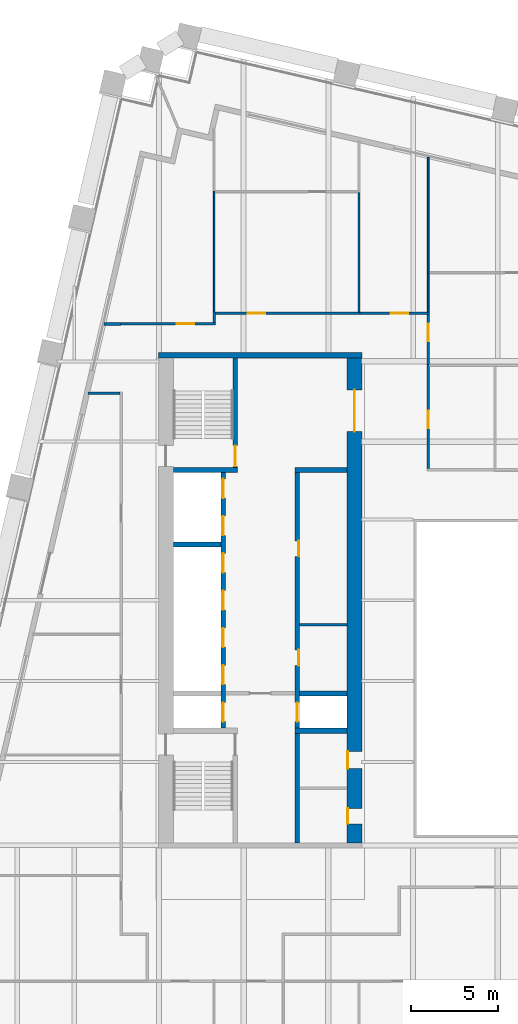
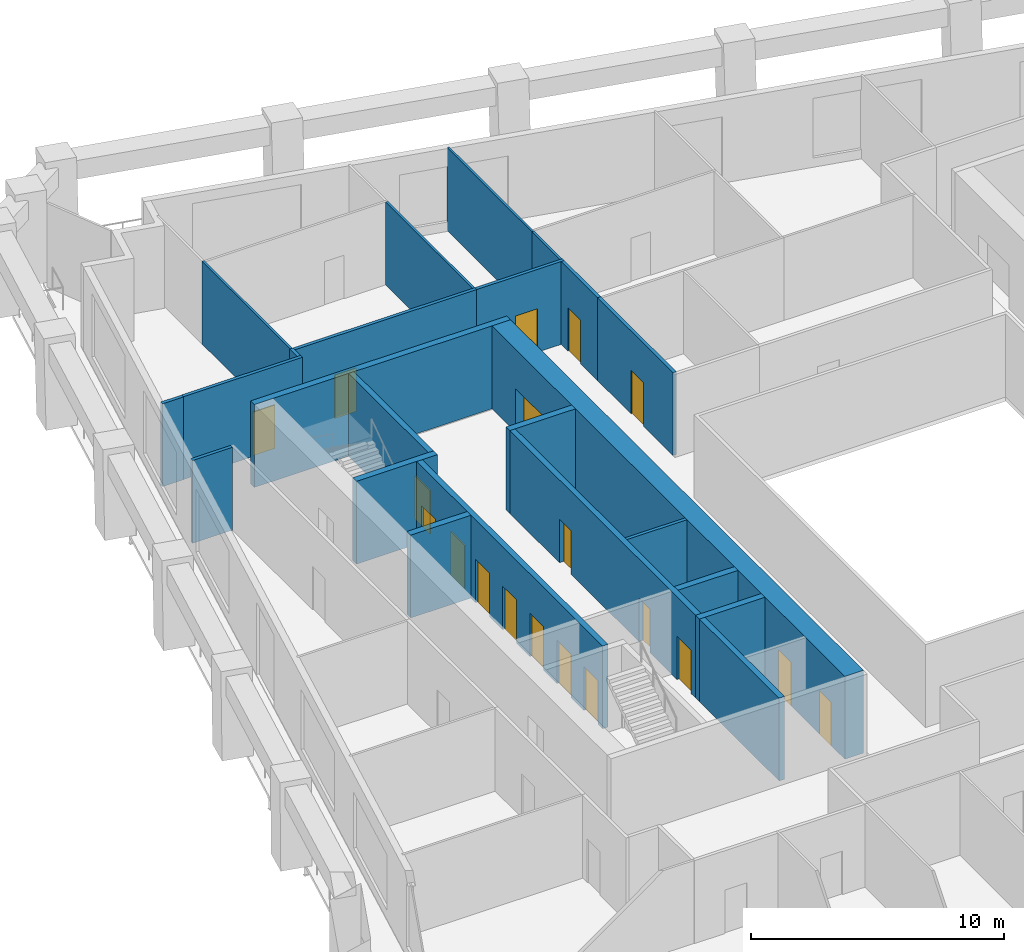
# One storey, part 6 of 11: 23 walls, 19 doors, 19 openings.
"""IFC4 building model written with IfcOpenShell, lengths in metres."""

import ifcopenshell
import ifcopenshell.guid

model = None  # the IFC model being written
_history = None  # IfcOwnerHistory: only IFC2X3 demands one
_inside = {}  # id of a spatial element -> (the spatial element, [elements in it])
_under = {}  # id of a project, library or spatial element -> (it, [spatial elements below it])
_declared = {}  # id of a project -> (the project, [libraries it declares])
_typed = {}  # id of a type object -> (the type object, [elements of that type])
_made_of = {}  # id of a material, layer set ... -> (it, [elements and type objects made of it])


def new_model(schema):
    """Start an empty IFC model of exactly this schema.

    Asked for "IFC4X3", IfcOpenShell would pick the latest addendum, in which some entities
    have other attributes; the version numbers below select the first issue.
    IFC2X3 requires an IfcOwnerHistory on every rooted entity: one is made here for all.
    """
    global model, _history
    if schema == "IFC4X3":
        model = ifcopenshell.file(schema_version=(4, 3, 0, 0))
    else:
        model = ifcopenshell.file(schema=schema)
    _inside.clear()
    _under.clear()
    _declared.clear()
    _typed.clear()
    _made_of.clear()
    _history = None
    if model.schema == "IFC2X3":
        org = make("IfcOrganization", Name="unknown")
        user = make(
            "IfcPersonAndOrganization",
            ThePerson=make("IfcPerson", FamilyName="unknown"),
            TheOrganization=org,
        )
        app = make(
            "IfcApplication",
            ApplicationDeveloper=org,
            Version="unknown",
            ApplicationFullName="unknown",
            ApplicationIdentifier="unknown",
        )
        _history = make(
            "IfcOwnerHistory",
            OwningUser=user,
            OwningApplication=app,
            ChangeAction="ADDED",
            CreationDate=0,
        )
    return model


def make(cls, **values):
    """One entity of the class cls with the attributes given. An attribute that is None is left unset."""
    return model.create_entity(
        cls, **{name: value for name, value in values.items() if value is not None}
    )


def rooted(cls, **values):
    """An entity with a GlobalId (a new one), such as an element, a storey or a relation."""
    return make(cls, GlobalId=ifcopenshell.guid.new(), OwnerHistory=_history, **values)


def si_unit(unit_type, name, prefix=None):
    """IfcSIUnit, for example si_unit("LENGTHUNIT", "METRE", prefix="MILLI")."""
    return make("IfcSIUnit", UnitType=unit_type, Prefix=prefix, Name=name)


def assignment(units):
    """IfcUnitAssignment: the units of a project."""
    return None if units is None else make("IfcUnitAssignment", Units=units)


def point(xyz):
    """IfcCartesianPoint."""
    return None if xyz is None else make("IfcCartesianPoint", Coordinates=xyz)


def direction(xyz):
    """IfcDirection."""
    return None if xyz is None else make("IfcDirection", DirectionRatios=xyz)


def frame(location, z_axis=None, x_axis=None):
    """IfcAxis2Placement3D, a coordinate frame: its origin and axes. An axis left out is left unset."""
    return make(
        "IfcAxis2Placement3D",
        Location=point(location),
        Axis=direction(z_axis),
        RefDirection=direction(x_axis),
    )


def frame_2d(location, x_axis=None):
    """IfcAxis2Placement2D, a coordinate frame in the plane: its origin and x axis."""
    return make(
        "IfcAxis2Placement2D", Location=point(location), RefDirection=direction(x_axis)
    )


def origin():
    """The frame at (0, 0, 0) with its axes left unset."""
    return frame((0.0, 0.0, 0.0))


def place(relative_to, where):
    """IfcLocalPlacement: puts the frame where relative to a parent placement (None: the world)."""
    return make(
        "IfcLocalPlacement", PlacementRelTo=relative_to, RelativePlacement=where
    )


def context(
    kind, dimensions, precision=None, world=None, true_north=None, identifier=None
):
    """IfcGeometricRepresentationContext, for example the 3D "Model" context."""
    return make(
        "IfcGeometricRepresentationContext",
        ContextIdentifier=identifier,
        ContextType=kind,
        CoordinateSpaceDimension=dimensions,
        Precision=precision,
        WorldCoordinateSystem=world,
        TrueNorth=true_north,
    )


def subcontext(parent, identifier, kind, view, scale=None):
    """IfcGeometricRepresentationSubContext, for example "Body" below "Model"."""
    return make(
        "IfcGeometricRepresentationSubContext",
        ContextIdentifier=identifier,
        ContextType=kind,
        ParentContext=parent,
        TargetScale=scale,
        TargetView=view,
    )


def project(units=None, contexts=None):
    """IfcProject with its units and contexts."""
    return rooted(
        "IfcProject",
        Name="project",
        RepresentationContexts=contexts,
        UnitsInContext=assignment(units),
    )


def spatial(cls, under=None, at=None, **own):
    """A site, building, storey or space (cls), placed at a placement, below another one or the project."""
    s = rooted(cls, ObjectPlacement=at, **own)
    if under is not None:
        _under.setdefault(under.id(), (under, []))[1].append(s)
    return s


def profile(cls, at=None, kind="AREA", **sizes):
    """A parametric profile (cls). Its sizes go by their IFC names, for example OverallWidth=200.0."""
    return make(cls, ProfileType=kind, Position=at, **sizes)


def rectangle(**sizes):
    """IfcRectangleProfileDef."""
    return profile("IfcRectangleProfileDef", **sizes)


def extrude(swept, where, along, depth):
    """IfcExtrudedAreaSolid: the profile swept, set in the frame where, extruded along a direction by depth."""
    return make(
        "IfcExtrudedAreaSolid",
        SweptArea=swept,
        Position=where,
        ExtrudedDirection=direction(along),
        Depth=depth,
    )


def shape(context_of_items, identifier, shape_type, items):
    """IfcShapeRepresentation: the items that make up one representation, for example the "Body"."""
    return make(
        "IfcShapeRepresentation",
        ContextOfItems=context_of_items,
        RepresentationIdentifier=identifier,
        RepresentationType=shape_type,
        Items=items,
    )


def material(Name=None, Category=None):
    """IfcMaterial."""
    return make("IfcMaterial", Name=Name, Category=Category)


def layer(
    of_material, thickness, ventilated=None, Name=None, Category=None, Priority=None
):
    """IfcMaterialLayer: one layer of a wall or slab, of a material (None: an air gap)."""
    return make(
        "IfcMaterialLayer",
        Material=of_material,
        LayerThickness=thickness,
        IsVentilated=ventilated,
        Name=Name,
        Category=Category,
        Priority=Priority,
    )


def layer_set(layers, Name=None):
    """IfcMaterialLayerSet."""
    return make("IfcMaterialLayerSet", MaterialLayers=layers, LayerSetName=Name)


def made_of(thing, what):
    """Note that an element or type object is made of a material, layer set ...; save() writes the relation."""
    if what is not None:
        _made_of.setdefault(what.id(), (what, []))[1].append(thing)
    return thing


def type_object(cls, material=None, **own):
    """A type object (cls), such as IfcWallType, which elements share."""
    return made_of(rooted(cls, **own), material)


def element(
    cls,
    number,
    at=None,
    inside=None,
    cuts=None,
    type_object=None,
    material=None,
    context=None,
    identifier="Body",
    shape_type=None,
    held_by="IfcProductDefinitionShape",
    body=None,
    shapes=None,
    **own,
):
    """One element of the class cls, such as IfcWall. Its Tag is "e" and its number.

    at: its placement. inside: the storey or other place that contains it. cuts: it is an
    opening in that element (IfcRelVoidsElement). A single representation is given by context,
    identifier, shape_type and body (its items); several are given by shapes. held_by: the class
    of the entity that holds the representations. save() writes the other relations.
    """
    e = rooted(cls, Tag="e%d" % number, ObjectPlacement=at, **own)
    if body is not None:
        shapes = [shape(context, identifier, shape_type, body)]
    if shapes is not None:
        e.Representation = make(held_by, Representations=shapes)
    if inside is not None:
        _inside.setdefault(inside.id(), (inside, []))[1].append(e)
    if cuts is not None:
        rooted(
            "IfcRelVoidsElement", RelatingBuildingElement=cuts, RelatedOpeningElement=e
        )
    if type_object is not None:
        _typed.setdefault(type_object.id(), (type_object, []))[1].append(e)
    return made_of(e, material)


def fill(opening, filler):
    """IfcRelFillsElement: the door or window that sits in an opening."""
    return rooted(
        "IfcRelFillsElement",
        RelatingOpeningElement=opening,
        RelatedBuildingElement=filler,
    )


def aggregate(whole, parts):
    """IfcRelAggregates: a whole, such as a stair, and the parts it consists of."""
    return rooted("IfcRelAggregates", RelatingObject=whole, RelatedObjects=parts)


def save(model, path):
    """Write the relations noted so far, then the file.

    IfcRelAggregates (storeys below a building ...), IfcRelContainedInSpatialStructure (elements
    in a storey), IfcRelDefinesByType, IfcRelAssociatesMaterial and IfcRelDeclares: one each for
    every whole, place, type object, material and project.
    """
    for whole, parts in _under.values():
        aggregate(whole, parts)
    for where, things in _inside.values():
        rooted(
            "IfcRelContainedInSpatialStructure",
            RelatedElements=things,
            RelatingStructure=where,
        )
    for kind, things in _typed.values():
        rooted("IfcRelDefinesByType", RelatedObjects=things, RelatingType=kind)
    for what, things in _made_of.values():
        rooted("IfcRelAssociatesMaterial", RelatedObjects=things, RelatingMaterial=what)
    for by, libraries in _declared.values():
        rooted("IfcRelDeclares", RelatingContext=by, RelatedDefinitions=libraries)
    model.write(path)


model = new_model("IFC4")

# Units and contexts
model_context = context("Model", 3, precision=1e-05, world=origin(), true_north=direction((0.0, 1.0)))
body_context = subcontext(model_context, "Body", "Model", "MODEL_VIEW")
ifc_project = project(units=[si_unit("LENGTHUNIT", "METRE"), si_unit("AREAUNIT", "SQUARE_METRE"), si_unit("VOLUMEUNIT", "CUBIC_METRE"), si_unit("PLANEANGLEUNIT", "RADIAN"), si_unit("MASSUNIT", "GRAM", prefix="KILO")], contexts=[model_context])

# Site, building, storey
site_placement = place(None, origin())
site = spatial("IfcSite", under=ifc_project, at=site_placement, CompositionType="ELEMENT")
building_placement = place(site_placement, origin())
building = spatial("IfcBuilding", under=site, at=building_placement, Name="Ogive Exchange Tower", CompositionType="ELEMENT")
storey_placement = place(building_placement, frame((0.0, 0.0, 109.800048828125)))
storey = spatial("IfcBuildingStorey", under=building, at=storey_placement, Name="L23", CompositionType="ELEMENT", Elevation=109.800048828125)

# Walls
ifc_material_1 = material(Name="Gypsum board partition")
ifc_layer_1 = layer(ifc_material_1, 0.14990234375)
ifc_layer_set_1 = layer_set([ifc_layer_1], Name="Core room partition 150 gypsum")
wall_type_1 = type_object("IfcWallType", Name="Core room partition 150 gypsum", PredefinedType="PARTITIONING", material=ifc_layer_set_1)
wall_1_placement = place(storey_placement, frame((-13.75, 10.10009765625, 0.0), z_axis=(0.0, 0.0, 1.0), x_axis=(1.0, 0.0, 0.0)))
element("IfcWall", 1, at=wall_1_placement, inside=storey, type_object=wall_type_1, Name="W row B bay partition 1-1", PredefinedType="PARTITIONING", context=body_context, shape_type="SweptSolid", body=[
    extrude(rectangle(XDim=2.75, YDim=0.14990234375, at=frame_2d((1.375, 0.0))), origin(), (0.0, 0.0, 1.0), 4.0),
])
ifc_layer_2 = layer(ifc_material_1, 0.300048828125)
ifc_layer_set_2 = layer_set([ifc_layer_2], Name="Core room partition 300 gypsum")
wall_type_2 = type_object("IfcWallType", Name="Core room partition 300 gypsum", PredefinedType="PARTITIONING", material=ifc_layer_set_2)
wall_2_placement = place(storey_placement, frame((-14.0, 19.0, 0.0), z_axis=(0.0, 0.0, 1.0), x_axis=(1.0, 0.0, 0.0)))
element("IfcWall", 2, at=wall_2_placement, inside=storey, type_object=wall_type_2, Name="W row B room end wall 7", PredefinedType="PARTITIONING", context=body_context, shape_type="SweptSolid", body=[
    extrude(rectangle(XDim=3.0, YDim=0.300048828125, at=frame_2d((1.5, 0.0))), origin(), (0.0, 0.0, 1.0), 4.0),
])
ifc_material_2 = material(Name="Fire partition EI 60 150")
ifc_layer_3 = layer(ifc_material_2, 0.14990234375)
ifc_layer_set_3 = layer_set([ifc_layer_3], Name="Fire partition EI 60 150")
wall_type_3 = type_object("IfcWallType", Name="Fire partition EI 60 150", PredefinedType="PARTITIONING", material=ifc_layer_set_3)
wall_3_placement = place(storey_placement, frame((-24.970947265625, 27.389892578125, 0.0), z_axis=(0.0, 0.0, 1.0), x_axis=(1.0, 0.0, 0.0)))
element("IfcWall", 3, at=wall_3_placement, inside=storey, type_object=wall_type_3, Name="L23-PWL-002", PredefinedType="PARTITIONING", context=body_context, shape_type="SweptSolid", body=[
    extrude(rectangle(XDim=0.970947265625, YDim=0.14990234375, at=frame_2d((0.4853515625, 0.0))), origin(), (0.0, 0.0, 1.0), 4.0),
])
wall_4_placement = place(storey_placement, frame((-24.074951171875, 23.409912109375, 0.0), z_axis=(0.0, 0.0, 1.0), x_axis=(-1.0, 0.0, 0.0)))
element("IfcWall", 4, at=wall_4_placement, inside=storey, type_object=wall_type_3, Name="L23-PWL-010", PredefinedType="PARTITIONING", context=body_context, shape_type="SweptSolid", body=[
    extrude(rectangle(XDim=1.81494140625, YDim=0.14990234375, at=frame_2d((0.907470703125, 0.0))), origin(), (0.0, 0.0, 1.0), 4.0),
])

# Wall, opening, door
wall_5_placement = place(storey_placement, frame((-24.0, 27.39990234375, 0.0), z_axis=(0.0, 0.0, 1.0), x_axis=(1.0, 0.0, 0.0)))
wall_5 = element("IfcWall", 5, at=wall_5_placement, inside=storey, type_object=wall_type_3, Name="L23-PWL-011", PredefinedType="PARTITIONING", context=body_context, shape_type="SweptSolid", body=[
    extrude(rectangle(XDim=5.425048828125, YDim=0.14990234375, at=frame_2d((2.71240234375, 0.0))), origin(), (0.0, 0.0, 1.0), 4.0),
])
opening_1_placement = place(wall_5_placement, frame((3.199951171875, 0.0, 0.0)))
opening_1 = element("IfcOpeningElement", 6, at=opening_1_placement, cuts=wall_5, Name="Opening L23-I14", PredefinedType="OPENING", context=body_context, shape_type="SweptSolid", body=[
    extrude(rectangle(XDim=1.0, YDim=2.10009765625, at=frame_2d((0.5, 1.050048828125))), frame((0.0, 0.0849609375, 0.0), z_axis=(0.0, -1.0, 0.0), x_axis=(1.0, 0.0, 0.0)), (0.0, 0.0, 1.0), 0.169921875),
])
ifc_material_3 = material(Name="Fire door FD 30S 1000 x 2100")
door_type_1 = type_object("IfcDoorType", Name="Fire door FD 30S 1000 x 2100", OperationType="NOTDEFINED", PredefinedType="DOOR", material=ifc_material_3)
door_1_placement = place(opening_1_placement, origin())
door_1 = element("IfcDoor", 7, at=door_1_placement, inside=storey, type_object=door_type_1, Name="L23-IDR-014", ObjectType="DT3", OperationType="SINGLE_SWING_LEFT", OverallHeight=2.10009765625, OverallWidth=1.0, PredefinedType="DOOR", context=body_context, shape_type="SweptSolid", body=[
    extrude(rectangle(XDim=1.0, YDim=2.10009765625, at=frame_2d((0.5, 1.050048828125))), frame((0.0, 0.02490234375, 0.0), z_axis=(0.0, -1.0, 0.0), x_axis=(1.0, 0.0, 0.0)), (0.0, 0.0, 1.0), 0.050048828125),
])
fill(opening_1, door_1)

# Wall
wall_6_placement = place(storey_placement, frame((-18.64990234375, 27.47509765625, 0.0), z_axis=(0.0, 0.0, 1.0), x_axis=(0.0, 1.0, 0.0)))
element("IfcWall", 8, at=wall_6_placement, inside=storey, type_object=wall_type_3, Name="L23-PWL-017", PredefinedType="PARTITIONING", context=body_context, shape_type="SweptSolid", body=[
    extrude(rectangle(XDim=0.599853515625, YDim=0.14990234375, at=frame_2d((0.2998046875, 0.0))), origin(), (0.0, 0.0, 1.0), 4.0),
])

# Wall, opening, door
wall_7_placement = place(storey_placement, frame((-18.574951171875, 28.0, 0.0), z_axis=(0.0, 0.0, 1.0), x_axis=(1.0, 0.0, 0.0)))
wall_7 = element("IfcWall", 9, at=wall_7_placement, inside=storey, type_object=wall_type_3, Name="L23-PWL-019", PredefinedType="PARTITIONING", context=body_context, shape_type="SweptSolid", body=[
    extrude(rectangle(XDim=8.304931640625, YDim=0.14990234375, at=frame_2d((4.15234375, 0.0))), origin(), (0.0, 0.0, 1.0), 4.0),
])
opening_2_placement = place(wall_7_placement, frame((1.85498046875, 0.0, 0.0)))
opening_2 = element("IfcOpeningElement", 10, at=opening_2_placement, cuts=wall_7, Name="Opening L23-I12", PredefinedType="OPENING", context=body_context, shape_type="SweptSolid", body=[
    extrude(rectangle(XDim=1.0, YDim=2.10009765625, at=frame_2d((0.5, 1.050048828125))), frame((0.0, 0.0849609375, 0.0), z_axis=(0.0, -1.0, 0.0), x_axis=(1.0, 0.0, 0.0)), (0.0, 0.0, 1.0), 0.169921875),
])
door_2_placement = place(opening_2_placement, origin())
door_2 = element("IfcDoor", 11, at=door_2_placement, inside=storey, type_object=door_type_1, Name="L23-IDR-012", ObjectType="DT3", OperationType="SINGLE_SWING_RIGHT", OverallHeight=2.10009765625, OverallWidth=1.0, PredefinedType="DOOR", context=body_context, shape_type="SweptSolid", body=[
    extrude(rectangle(XDim=1.0, YDim=2.10009765625, at=frame_2d((0.5, 1.050048828125))), frame((0.0, 0.02490234375, 0.0), z_axis=(0.0, -1.0, 0.0), x_axis=(1.0, 0.0, 0.0)), (0.0, 0.0, 1.0), 0.050048828125),
])
fill(opening_2, door_2)

wall_8_placement = place(storey_placement, frame((-10.27001953125, 28.0, 0.0), z_axis=(0.0, 0.0, 1.0), x_axis=(1.0, 0.0, 0.0)))
wall_8 = element("IfcWall", 12, at=wall_8_placement, inside=storey, type_object=wall_type_3, Name="L23-PWL-028", PredefinedType="PARTITIONING", context=body_context, shape_type="SweptSolid", body=[
    extrude(rectangle(XDim=4.005126953125, YDim=0.14990234375, at=frame_2d((2.00244140625, 0.0))), origin(), (0.0, 0.0, 1.0), 4.0),
])
opening_3_placement = place(wall_8_placement, frame((1.780029296875, 0.0, 0.0)))
opening_3 = element("IfcOpeningElement", 13, at=opening_3_placement, cuts=wall_8, Name="Opening L23-I11", PredefinedType="OPENING", context=body_context, shape_type="SweptSolid", body=[
    extrude(rectangle(XDim=1.0, YDim=2.10009765625, at=frame_2d((0.5, 1.050048828125))), frame((0.0, 0.0849609375, 0.0), z_axis=(0.0, -1.0, 0.0), x_axis=(1.0, 0.0, 0.0)), (0.0, 0.0, 1.0), 0.169921875),
])
door_3_placement = place(opening_3_placement, origin())
door_3 = element("IfcDoor", 14, at=door_3_placement, inside=storey, type_object=door_type_1, Name="L23-IDR-011", ObjectType="DT3", OperationType="SINGLE_SWING_LEFT", OverallHeight=2.10009765625, OverallWidth=1.0, PredefinedType="DOOR", context=body_context, shape_type="SweptSolid", body=[
    extrude(rectangle(XDim=1.0, YDim=2.10009765625, at=frame_2d((0.5, 1.050048828125))), frame((0.0, 0.02490234375, 0.0), z_axis=(0.0, -1.0, 0.0), x_axis=(1.0, 0.0, 0.0)), (0.0, 0.0, 1.0), 0.050048828125),
])
fill(opening_3, door_3)

wall_9_placement = place(storey_placement, frame((-6.340087890625, 25.050048828125, 0.0), z_axis=(0.0, 0.0, 1.0), x_axis=(0.0, -1.0, 0.0)))
wall_9 = element("IfcWall", 15, at=wall_9_placement, inside=storey, type_object=wall_type_3, Name="L23-PWL-033", PredefinedType="PARTITIONING", context=body_context, shape_type="SweptSolid", body=[
    extrude(rectangle(XDim=5.97509765625, YDim=0.14990234375, at=frame_2d((2.987548828125, 0.0))), origin(), (0.0, 0.0, 1.0), 4.0),
])
opening_4_placement = place(wall_9_placement, frame((2.64990234375, 0.0, 0.0)))
opening_4 = element("IfcOpeningElement", 16, at=opening_4_placement, cuts=wall_9, Name="Opening L23-I05", PredefinedType="OPENING", context=body_context, shape_type="SweptSolid", body=[
    extrude(rectangle(XDim=1.0, YDim=2.10009765625, at=frame_2d((0.5, 1.050048828125))), frame((0.0, 0.0849609375, 0.0), z_axis=(0.0, -1.0, 0.0), x_axis=(1.0, 0.0, 0.0)), (0.0, 0.0, 1.0), 0.169921875),
])
door_4_placement = place(opening_4_placement, origin())
door_4 = element("IfcDoor", 17, at=door_4_placement, inside=storey, type_object=door_type_1, Name="L23-IDR-005", ObjectType="DT3", OperationType="SINGLE_SWING_LEFT", OverallHeight=2.10009765625, OverallWidth=1.0, PredefinedType="DOOR", context=body_context, shape_type="SweptSolid", body=[
    extrude(rectangle(XDim=1.0, YDim=2.10009765625, at=frame_2d((0.5, 1.050048828125))), frame((0.0, 0.02490234375, 0.0), z_axis=(0.0, -1.0, 0.0), x_axis=(1.0, 0.0, 0.0)), (0.0, 0.0, 1.0), 0.050048828125),
])
fill(opening_4, door_4)

wall_10_placement = place(storey_placement, frame((-6.340087890625, 27.925048828125, 0.0), z_axis=(0.0, 0.0, 1.0), x_axis=(0.0, -1.0, 0.0)))
wall_10 = element("IfcWall", 18, at=wall_10_placement, inside=storey, type_object=wall_type_3, Name="L23-PWL-035", PredefinedType="PARTITIONING", context=body_context, shape_type="SweptSolid", body=[
    extrude(rectangle(XDim=2.875, YDim=0.14990234375, at=frame_2d((1.4375, 0.0))), origin(), (0.0, 0.0, 1.0), 4.0),
])
opening_5_placement = place(wall_10_placement, frame((0.52490234375, 0.0, 0.0)))
opening_5 = element("IfcOpeningElement", 19, at=opening_5_placement, cuts=wall_10, Name="Opening L23-I08", PredefinedType="OPENING", context=body_context, shape_type="SweptSolid", body=[
    extrude(rectangle(XDim=1.0, YDim=2.10009765625, at=frame_2d((0.5, 1.050048828125))), frame((0.0, 0.0849609375, 0.0), z_axis=(0.0, -1.0, 0.0), x_axis=(1.0, 0.0, 0.0)), (0.0, 0.0, 1.0), 0.169921875),
])
door_5_placement = place(opening_5_placement, origin())
door_5 = element("IfcDoor", 20, at=door_5_placement, inside=storey, type_object=door_type_1, Name="L23-IDR-008", ObjectType="DT3", OperationType="SINGLE_SWING_LEFT", OverallHeight=2.10009765625, OverallWidth=1.0, PredefinedType="DOOR", context=body_context, shape_type="SweptSolid", body=[
    extrude(rectangle(XDim=1.0, YDim=2.10009765625, at=frame_2d((0.5, 1.050048828125))), frame((0.0, 0.02490234375, 0.0), z_axis=(0.0, -1.0, 0.0), x_axis=(1.0, 0.0, 0.0)), (0.0, 0.0, 1.0), 0.050048828125),
])
fill(opening_5, door_5)

# Walls
ifc_material_4 = material(Name="Partition 100 gypsum")
ifc_layer_4 = layer(ifc_material_4, 0.10009765625)
ifc_layer_set_4 = layer_set([ifc_layer_4], Name="Partition 100 gypsum")
wall_type_4 = type_object("IfcWallType", Name="Partition 100 gypsum", PredefinedType="PARTITIONING", material=ifc_layer_set_4)
wall_11_placement = place(storey_placement, frame((-18.64990234375, 28.074951171875, 0.0), z_axis=(0.0, 0.0, 1.0), x_axis=(0.0, 1.0, 0.0)))
element("IfcWall", 21, at=wall_11_placement, inside=storey, type_object=wall_type_4, Name="L23-PWL-018", PredefinedType="PARTITIONING", context=body_context, shape_type="SweptSolid", body=[
    extrude(rectangle(XDim=6.97509765625, YDim=0.10009765625, at=frame_2d((3.487548828125, 0.0))), origin(), (0.0, 0.0, 1.0), 4.0),
])
wall_12_placement = place(storey_placement, frame((-10.320068359375, 28.074951171875, 0.0), z_axis=(0.0, 0.0, 1.0), x_axis=(0.0, 1.0, 0.0)))
element("IfcWall", 22, at=wall_12_placement, inside=storey, type_object=wall_type_4, Name="L23-PWL-027", PredefinedType="PARTITIONING", context=body_context, shape_type="SweptSolid", body=[
    extrude(rectangle(XDim=6.875, YDim=0.10009765625, at=frame_2d((3.4375, 0.0))), origin(), (0.0, 0.0, 1.0), 4.0),
])
wall_13_placement = place(storey_placement, frame((-6.340087890625, 28.074951171875, 0.0), z_axis=(0.0, 0.0, 1.0), x_axis=(0.0, 1.0, 0.0)))
element("IfcWall", 23, at=wall_13_placement, inside=storey, type_object=wall_type_4, Name="L23-PWL-036", PredefinedType="PARTITIONING", context=body_context, shape_type="SweptSolid", body=[
    extrude(rectangle(XDim=2.215087890625, YDim=0.10009765625, at=frame_2d((1.107421875, 0.0))), origin(), (0.0, 0.0, 1.0), 4.0),
])
wall_14_placement = place(storey_placement, frame((-6.340087890625, 30.2900390625, 0.0), z_axis=(0.0, 0.0, 1.0), x_axis=(0.0, 1.0, 0.0)))
element("IfcWall", 24, at=wall_14_placement, inside=storey, type_object=wall_type_4, Name="L23-PWL-037", PredefinedType="PARTITIONING", context=body_context, shape_type="SweptSolid", body=[
    extrude(rectangle(XDim=6.697998046875, YDim=0.10009765625, at=frame_2d((3.34912109375, 0.0))), origin(), (0.0, 0.0, 1.0), 4.0),
])

# Wall, opening, door
ifc_material_5 = material(Name="Concrete C70/85", Category="concrete")
ifc_layer_5 = layer(ifc_material_5, 0.25)
ifc_layer_set_5 = layer_set([ifc_layer_5], Name="RC core wall 250 C70/85")
wall_type_5 = type_object("IfcWallType", Name="RC core wall 250 C70/85", PredefinedType="SHEAR", material=ifc_layer_set_5)
wall_15_placement = place(storey_placement, frame((-17.425048828125, 19.14990234375, 0.0), z_axis=(0.0, 0.0, 1.0), x_axis=(0.0, 1.0, 0.0)))
wall_15 = element("IfcWall", 25, at=wall_15_placement, inside=storey, type_object=wall_type_5, Name="W stair N front wall", PredefinedType="SHEAR", context=body_context, shape_type="SweptSolid", body=[
    extrude(rectangle(XDim=6.300048828125, YDim=0.25, at=frame_2d((3.14990234375, 0.0))), origin(), (0.0, 0.0, 1.0), 4.0),
])
opening_6_placement = place(wall_15_placement, frame((0.050048828125, 0.0, 0.0)))
opening_6 = element("IfcOpeningElement", 26, at=opening_6_placement, cuts=wall_15, Name="Opening L23-C15", PredefinedType="OPENING", context=body_context, shape_type="SweptSolid", body=[
    extrude(rectangle(XDim=1.199951171875, YDim=2.10009765625, at=frame_2d((0.60009765625, 1.050048828125))), frame((0.0, 0.135009765625, 0.0), z_axis=(0.0, -1.0, 0.0), x_axis=(1.0, 0.0, 0.0)), (0.0, 0.0, 1.0), 0.27001953125),
])
ifc_material_6 = material(Name="Steel fire door", Category="steel")
door_type_2 = type_object("IfcDoorType", Name="Stair door FD90 1200 x 2100", OperationType="NOTDEFINED", PredefinedType="DOOR", material=ifc_material_6)
door_6_placement = place(opening_6_placement, origin())
door_6 = element("IfcDoor", 27, at=door_6_placement, inside=storey, type_object=door_type_2, Name="Stair door", ObjectType="CD5", OperationType="SINGLE_SWING_RIGHT", OverallHeight=2.10009765625, OverallWidth=1.199951171875, PredefinedType="DOOR", context=body_context, shape_type="SweptSolid", body=[
    extrude(rectangle(XDim=1.199951171875, YDim=2.10009765625, at=frame_2d((0.60009765625, 1.050048828125))), frame((0.0, 0.02490234375, 0.0), z_axis=(0.0, -1.0, 0.0), x_axis=(1.0, 0.0, 0.0)), (0.0, 0.0, 1.0), 0.050048828125),
])
fill(opening_6, door_6)

# Wall, openings, doors
wall_16_placement = place(storey_placement, frame((-18.125, 4.14990234375, 0.0), z_axis=(0.0, 0.0, 1.0), x_axis=(0.0, 1.0, 0.0)))
wall_16 = element("IfcWall", 28, at=wall_16_placement, inside=storey, type_object=wall_type_5, Name="W row A front wall", PredefinedType="SHEAR", context=body_context, shape_type="SweptSolid", body=[
    extrude(rectangle(XDim=14.7001953125, YDim=0.25, at=frame_2d((7.35009765625, 0.0))), origin(), (0.0, 0.0, 1.0), 4.0),
])
opening_7_placement = place(wall_16_placement, frame((0.371337890625, 0.0, 0.0)))
opening_7 = element("IfcOpeningElement", 29, at=opening_7_placement, cuts=wall_16, Name="Opening L23-C01", PredefinedType="OPENING", context=body_context, shape_type="SweptSolid", body=[
    extrude(rectangle(XDim=1.10009765625, YDim=2.10009765625, at=frame_2d((0.550048828125, 1.050048828125))), frame((0.0, 0.135009765625, 0.0), z_axis=(0.0, -1.0, 0.0), x_axis=(1.0, 0.0, 0.0)), (0.0, 0.0, 1.0), 0.27001953125),
])
opening_8_placement = place(wall_16_placement, frame((2.514404296875, 0.0, 0.0)))
opening_8 = element("IfcOpeningElement", 30, at=opening_8_placement, cuts=wall_16, Name="Opening L23-C02", PredefinedType="OPENING", context=body_context, shape_type="SweptSolid", body=[
    extrude(rectangle(XDim=1.10009765625, YDim=2.10009765625, at=frame_2d((0.550048828125, 1.050048828125))), frame((0.0, 0.135009765625, 0.0), z_axis=(0.0, -1.0, 0.0), x_axis=(1.0, 0.0, 0.0)), (0.0, 0.0, 1.0), 0.27001953125),
])
opening_9_placement = place(wall_16_placement, frame((4.656982421875, 0.0, 0.0)))
opening_9 = element("IfcOpeningElement", 31, at=opening_9_placement, cuts=wall_16, Name="Opening L23-C03", PredefinedType="OPENING", context=body_context, shape_type="SweptSolid", body=[
    extrude(rectangle(XDim=1.10009765625, YDim=2.10009765625, at=frame_2d((0.550048828125, 1.050048828125))), frame((0.0, 0.135009765625, 0.0), z_axis=(0.0, -1.0, 0.0), x_axis=(1.0, 0.0, 0.0)), (0.0, 0.0, 1.0), 0.27001953125),
])
opening_10_placement = place(wall_16_placement, frame((6.800048828125, 0.0, 0.0)))
opening_10 = element("IfcOpeningElement", 32, at=opening_10_placement, cuts=wall_16, Name="Opening L23-C04", PredefinedType="OPENING", context=body_context, shape_type="SweptSolid", body=[
    extrude(rectangle(XDim=1.10009765625, YDim=2.10009765625, at=frame_2d((0.550048828125, 1.050048828125))), frame((0.0, 0.135009765625, 0.0), z_axis=(0.0, -1.0, 0.0), x_axis=(1.0, 0.0, 0.0)), (0.0, 0.0, 1.0), 0.27001953125),
])
opening_11_placement = place(wall_16_placement, frame((8.94287109375, 0.0, 0.0)))
opening_11 = element("IfcOpeningElement", 33, at=opening_11_placement, cuts=wall_16, Name="Opening L23-C05", PredefinedType="OPENING", context=body_context, shape_type="SweptSolid", body=[
    extrude(rectangle(XDim=1.10009765625, YDim=2.10009765625, at=frame_2d((0.550048828125, 1.050048828125))), frame((0.0, 0.135009765625, 0.0), z_axis=(0.0, -1.0, 0.0), x_axis=(1.0, 0.0, 0.0)), (0.0, 0.0, 1.0), 0.27001953125),
])
opening_12_placement = place(wall_16_placement, frame((11.085693359375, 0.0, 0.0)))
opening_12 = element("IfcOpeningElement", 34, at=opening_12_placement, cuts=wall_16, Name="Opening L23-C06", PredefinedType="OPENING", context=body_context, shape_type="SweptSolid", body=[
    extrude(rectangle(XDim=1.10009765625, YDim=2.10009765625, at=frame_2d((0.550048828125, 1.050048828125))), frame((0.0, 0.135009765625, 0.0), z_axis=(0.0, -1.0, 0.0), x_axis=(1.0, 0.0, 0.0)), (0.0, 0.0, 1.0), 0.27001953125),
])
opening_13_placement = place(wall_16_placement, frame((13.228515625, 0.0, 0.0)))
opening_13 = element("IfcOpeningElement", 35, at=opening_13_placement, cuts=wall_16, Name="Opening L23-C07", PredefinedType="OPENING", context=body_context, shape_type="SweptSolid", body=[
    extrude(rectangle(XDim=1.10009765625, YDim=2.10009765625, at=frame_2d((0.550048828125, 1.050048828125))), frame((0.0, 0.135009765625, 0.0), z_axis=(0.0, -1.0, 0.0), x_axis=(1.0, 0.0, 0.0)), (0.0, 0.0, 1.0), 0.27001953125),
])
ifc_material_7 = material(Name="Stainless steel", Category="steel")
door_type_3 = type_object("IfcDoorType", Name="Lift landing door FD90 1100 x 2100", OperationType="SLIDING_TO_LEFT", PredefinedType="DOOR", material=ifc_material_7)
door_7_placement = place(opening_7_placement, origin())
door_7 = element("IfcDoor", 36, at=door_7_placement, inside=storey, type_object=door_type_3, Name="Lift landing door FF1", ObjectType="LD", OperationType="SLIDING_TO_LEFT", OverallHeight=2.10009765625, OverallWidth=1.10009765625, PredefinedType="DOOR", context=body_context, shape_type="SweptSolid", body=[
    extrude(rectangle(XDim=1.10009765625, YDim=2.10009765625, at=frame_2d((0.550048828125, 1.050048828125))), frame((0.0, 0.02490234375, 0.0), z_axis=(0.0, -1.0, 0.0), x_axis=(1.0, 0.0, 0.0)), (0.0, 0.0, 1.0), 0.050048828125),
])
fill(opening_7, door_7)
door_8_placement = place(opening_8_placement, origin())
door_8 = element("IfcDoor", 37, at=door_8_placement, inside=storey, type_object=door_type_3, Name="Lift landing door W-L1", ObjectType="LD", OperationType="SLIDING_TO_LEFT", OverallHeight=2.10009765625, OverallWidth=1.10009765625, PredefinedType="DOOR", context=body_context, shape_type="SweptSolid", body=[
    extrude(rectangle(XDim=1.10009765625, YDim=2.10009765625, at=frame_2d((0.550048828125, 1.050048828125))), frame((0.0, 0.02490234375, 0.0), z_axis=(0.0, -1.0, 0.0), x_axis=(1.0, 0.0, 0.0)), (0.0, 0.0, 1.0), 0.050048828125),
])
fill(opening_8, door_8)
door_9_placement = place(opening_9_placement, origin())
door_9 = element("IfcDoor", 38, at=door_9_placement, inside=storey, type_object=door_type_3, Name="Lift landing door W-L2", ObjectType="LD", OperationType="SLIDING_TO_LEFT", OverallHeight=2.10009765625, OverallWidth=1.10009765625, PredefinedType="DOOR", context=body_context, shape_type="SweptSolid", body=[
    extrude(rectangle(XDim=1.10009765625, YDim=2.10009765625, at=frame_2d((0.550048828125, 1.050048828125))), frame((0.0, 0.02490234375, 0.0), z_axis=(0.0, -1.0, 0.0), x_axis=(1.0, 0.0, 0.0)), (0.0, 0.0, 1.0), 0.050048828125),
])
fill(opening_9, door_9)
door_10_placement = place(opening_10_placement, origin())
door_10 = element("IfcDoor", 39, at=door_10_placement, inside=storey, type_object=door_type_3, Name="Lift landing door W-L3", ObjectType="LD", OperationType="SLIDING_TO_LEFT", OverallHeight=2.10009765625, OverallWidth=1.10009765625, PredefinedType="DOOR", context=body_context, shape_type="SweptSolid", body=[
    extrude(rectangle(XDim=1.10009765625, YDim=2.10009765625, at=frame_2d((0.550048828125, 1.050048828125))), frame((0.0, 0.02490234375, 0.0), z_axis=(0.0, -1.0, 0.0), x_axis=(1.0, 0.0, 0.0)), (0.0, 0.0, 1.0), 0.050048828125),
])
fill(opening_10, door_10)
door_11_placement = place(opening_11_placement, origin())
door_11 = element("IfcDoor", 40, at=door_11_placement, inside=storey, type_object=door_type_3, Name="Lift landing door W-L4", ObjectType="LD", OperationType="SLIDING_TO_LEFT", OverallHeight=2.10009765625, OverallWidth=1.10009765625, PredefinedType="DOOR", context=body_context, shape_type="SweptSolid", body=[
    extrude(rectangle(XDim=1.10009765625, YDim=2.10009765625, at=frame_2d((0.550048828125, 1.050048828125))), frame((0.0, 0.02490234375, 0.0), z_axis=(0.0, -1.0, 0.0), x_axis=(1.0, 0.0, 0.0)), (0.0, 0.0, 1.0), 0.050048828125),
])
fill(opening_11, door_11)
door_12_placement = place(opening_12_placement, origin())
door_12 = element("IfcDoor", 41, at=door_12_placement, inside=storey, type_object=door_type_3, Name="Lift landing door W-SH1", ObjectType="LD", OperationType="SLIDING_TO_LEFT", OverallHeight=2.10009765625, OverallWidth=1.10009765625, PredefinedType="DOOR", context=body_context, shape_type="SweptSolid", body=[
    extrude(rectangle(XDim=1.10009765625, YDim=2.10009765625, at=frame_2d((0.550048828125, 1.050048828125))), frame((0.0, 0.02490234375, 0.0), z_axis=(0.0, -1.0, 0.0), x_axis=(1.0, 0.0, 0.0)), (0.0, 0.0, 1.0), 0.050048828125),
])
fill(opening_12, door_12)
door_13_placement = place(opening_13_placement, origin())
door_13 = element("IfcDoor", 42, at=door_13_placement, inside=storey, type_object=door_type_3, Name="Lift landing door W-SH2", ObjectType="LD", OperationType="SLIDING_TO_LEFT", OverallHeight=2.10009765625, OverallWidth=1.10009765625, PredefinedType="DOOR", context=body_context, shape_type="SweptSolid", body=[
    extrude(rectangle(XDim=1.10009765625, YDim=2.10009765625, at=frame_2d((0.550048828125, 1.050048828125))), frame((0.0, 0.02490234375, 0.0), z_axis=(0.0, -1.0, 0.0), x_axis=(1.0, 0.0, 0.0)), (0.0, 0.0, 1.0), 0.050048828125),
])
fill(opening_13, door_13)

wall_17_placement = place(storey_placement, frame((-13.875, -2.449951171875, 0.0), z_axis=(0.0, 0.0, 1.0), x_axis=(0.0, 1.0, 0.0)))
wall_17 = element("IfcWall", 43, at=wall_17_placement, inside=storey, type_object=wall_type_5, Name="W row B front wall", PredefinedType="SHEAR", context=body_context, shape_type="SweptSolid", body=[
    extrude(rectangle(XDim=21.300048828125, YDim=0.25, at=frame_2d((10.64990234375, 0.0))), origin(), (0.0, 0.0, 1.0), 4.0),
])
opening_14_placement = place(wall_17_placement, frame((10.1962890625, 0.0, 0.0)))
opening_14 = element("IfcOpeningElement", 44, at=opening_14_placement, cuts=wall_17, Name="Opening L23-C08", PredefinedType="OPENING", context=body_context, shape_type="SweptSolid", body=[
    extrude(rectangle(XDim=0.89990234375, YDim=2.10009765625, at=frame_2d((0.449951171875, 1.050048828125))), frame((0.0, 0.135009765625, 0.0), z_axis=(0.0, -1.0, 0.0), x_axis=(1.0, 0.0, 0.0)), (0.0, 0.0, 1.0), 0.27001953125),
])
opening_15_placement = place(wall_17_placement, frame((16.47509765625, 0.0, 0.0)))
opening_15 = element("IfcOpeningElement", 45, at=opening_15_placement, cuts=wall_17, Name="Opening L23-C09", PredefinedType="OPENING", context=body_context, shape_type="SweptSolid", body=[
    extrude(rectangle(XDim=0.89990234375, YDim=2.10009765625, at=frame_2d((0.449951171875, 1.050048828125))), frame((0.0, 0.135009765625, 0.0), z_axis=(0.0, -1.0, 0.0), x_axis=(1.0, 0.0, 0.0)), (0.0, 0.0, 1.0), 0.27001953125),
])
opening_16_placement = place(wall_17_placement, frame((6.971435546875, 0.0, 0.0)))
opening_16 = element("IfcOpeningElement", 46, at=opening_16_placement, cuts=wall_17, Name="Opening L23-C10", PredefinedType="OPENING", context=body_context, shape_type="SweptSolid", body=[
    extrude(rectangle(XDim=1.10009765625, YDim=2.10009765625, at=frame_2d((0.550048828125, 1.050048828125))), frame((0.0, 0.135009765625, 0.0), z_axis=(0.0, -1.0, 0.0), x_axis=(1.0, 0.0, 0.0)), (0.0, 0.0, 1.0), 0.27001953125),
])
door_14_placement = place(opening_16_placement, origin())
door_14 = element("IfcDoor", 47, at=door_14_placement, inside=storey, type_object=door_type_3, Name="Lift landing door SV1", ObjectType="LD", OperationType="SLIDING_TO_LEFT", OverallHeight=2.10009765625, OverallWidth=1.10009765625, PredefinedType="DOOR", context=body_context, shape_type="SweptSolid", body=[
    extrude(rectangle(XDim=1.10009765625, YDim=2.10009765625, at=frame_2d((0.550048828125, 1.050048828125))), frame((0.0, 0.02490234375, 0.0), z_axis=(0.0, -1.0, 0.0), x_axis=(1.0, 0.0, 0.0)), (0.0, 0.0, 1.0), 0.050048828125),
])
fill(opening_16, door_14)
door_type_4 = type_object("IfcDoorType", Name="Riser door FD60 900 x 2100", OperationType="NOTDEFINED", PredefinedType="DOOR", material=ifc_material_6)
door_15_placement = place(opening_14_placement, frame((0.89990234375, -0.2001953125, 0.0), z_axis=(0.0, 0.0, 1.0), x_axis=(-1.0, 0.0, 0.0)))
door_15 = element("IfcDoor", 48, at=door_15_placement, inside=storey, type_object=door_type_4, Name="Riser door", ObjectType="CD2", OperationType="SINGLE_SWING_LEFT", OverallHeight=2.10009765625, OverallWidth=0.89990234375, PredefinedType="DOOR", context=body_context, shape_type="SweptSolid", body=[
    extrude(rectangle(XDim=0.89990234375, YDim=2.10009765625, at=frame_2d((0.449951171875, 1.050048828125))), frame((0.0, -0.0751953125, 0.0), z_axis=(0.0, -1.0, 0.0), x_axis=(1.0, 0.0, 0.0)), (0.0, 0.0, 1.0), 0.050048828125),
])
fill(opening_14, door_15)
door_16_placement = place(opening_15_placement, frame((0.89990234375, -0.2001953125, 0.0), z_axis=(0.0, 0.0, 1.0), x_axis=(-1.0, 0.0, 0.0)))
door_16 = element("IfcDoor", 49, at=door_16_placement, inside=storey, type_object=door_type_4, Name="Riser door", ObjectType="CD2", OperationType="SINGLE_SWING_LEFT", OverallHeight=2.10009765625, OverallWidth=0.89990234375, PredefinedType="DOOR", context=body_context, shape_type="SweptSolid", body=[
    extrude(rectangle(XDim=0.89990234375, YDim=2.10009765625, at=frame_2d((0.449951171875, 1.050048828125))), frame((0.0, -0.0751953125, 0.0), z_axis=(0.0, -1.0, 0.0), x_axis=(1.0, 0.0, 0.0)), (0.0, 0.0, 1.0), 0.050048828125),
])
fill(opening_15, door_16)

# Walls
ifc_layer_6 = layer(ifc_material_5, 0.300048828125)
ifc_layer_set_6 = layer_set([ifc_layer_6], Name="RC core wall 300 C70/85")
wall_type_6 = type_object("IfcWallType", Name="RC core wall 300 C70/85", PredefinedType="SHEAR", material=ifc_layer_set_6)
wall_18_placement = place(storey_placement, frame((-21.85009765625, 25.60009765625, 0.0), z_axis=(0.0, 0.0, 1.0), x_axis=(1.0, 0.0, 0.0)))
element("IfcWall", 50, at=wall_18_placement, inside=storey, type_object=wall_type_6, Name="W north end wall", PredefinedType="SHEAR", context=body_context, shape_type="SweptSolid", body=[
    extrude(rectangle(XDim=11.7001953125, YDim=0.300048828125, at=frame_2d((5.85009765625, 0.0))), origin(), (0.0, 0.0, 1.0), 4.0),
])
wall_19_placement = place(storey_placement, frame((-21.0, 19.0, 0.0), z_axis=(0.0, 0.0, 1.0), x_axis=(1.0, 0.0, 0.0)))
element("IfcWall", 51, at=wall_19_placement, inside=storey, type_object=wall_type_6, Name="W stair N south wall", PredefinedType="SHEAR", context=body_context, shape_type="SweptSolid", body=[
    extrude(rectangle(XDim=3.699951171875, YDim=0.300048828125, at=frame_2d((1.85009765625, 0.0))), origin(), (0.0, 0.0, 1.0), 4.0),
])
wall_20_placement = place(storey_placement, frame((-21.0, 14.71435546875, 0.0), z_axis=(0.0, 0.0, 1.0), x_axis=(1.0, 0.0, 0.0)))
element("IfcWall", 52, at=wall_20_placement, inside=storey, type_object=wall_type_6, Name="W row A divider 5", PredefinedType="SHEAR", context=body_context, shape_type="SweptSolid", body=[
    extrude(rectangle(XDim=2.75, YDim=0.300048828125, at=frame_2d((1.375, 0.0))), origin(), (0.0, 0.0, 1.0), 4.0),
])
wall_21_placement = place(storey_placement, frame((-14.0, 4.0, 0.0), z_axis=(0.0, 0.0, 1.0), x_axis=(1.0, 0.0, 0.0)))
element("IfcWall", 53, at=wall_21_placement, inside=storey, type_object=wall_type_6, Name="W row B divider 0", PredefinedType="SHEAR", context=body_context, shape_type="SweptSolid", body=[
    extrude(rectangle(XDim=3.0, YDim=0.300048828125, at=frame_2d((1.5, 0.0))), origin(), (0.0, 0.0, 1.0), 4.0),
])
wall_22_placement = place(storey_placement, frame((-13.75, 6.142822265625, 0.0), z_axis=(0.0, 0.0, 1.0), x_axis=(1.0, 0.0, 0.0)))
element("IfcWall", 54, at=wall_22_placement, inside=storey, type_object=wall_type_6, Name="W row B divider 1", PredefinedType="SHEAR", context=body_context, shape_type="SweptSolid", body=[
    extrude(rectangle(XDim=2.75, YDim=0.300048828125, at=frame_2d((1.375, 0.0))), origin(), (0.0, 0.0, 1.0), 4.0),
])

# Wall, openings, doors
ifc_layer_7 = layer(ifc_material_5, 0.85009765625)
ifc_layer_set_7 = layer_set([ifc_layer_7], Name="RC core wall 850 C70/85")
wall_type_7 = type_object("IfcWallType", Name="RC core wall 850 C70/85", PredefinedType="SHEAR", material=ifc_layer_set_7)
wall_23_placement = place(storey_placement, frame((-10.574951171875, -2.449951171875, 0.0), z_axis=(0.0, 0.0, 1.0), x_axis=(0.0, 1.0, 0.0)))
wall_23 = element("IfcWall", 55, at=wall_23_placement, inside=storey, type_object=wall_type_7, Name="W inner wall", PredefinedType="SHEAR", context=body_context, shape_type="SweptSolid", body=[
    extrude(rectangle(XDim=27.89990234375, YDim=0.85009765625, at=frame_2d((13.949951171875, 0.0))), origin(), (0.0, 0.0, 1.0), 4.0),
])
opening_17_placement = place(wall_23_placement, frame((23.64990234375, 0.0, 0.0)))
opening_17 = element("IfcOpeningElement", 56, at=opening_17_placement, cuts=wall_23, Name="Opening L23-C12", PredefinedType="OPENING", context=body_context, shape_type="SweptSolid", body=[
    extrude(rectangle(XDim=2.39990234375, YDim=2.10009765625, at=frame_2d((1.199951171875, 1.050048828125))), frame((0.0, 0.43505859375, 0.0), z_axis=(0.0, -1.0, 0.0), x_axis=(1.0, 0.0, 0.0)), (0.0, 0.0, 1.0), 0.8701171875),
])
opening_18_placement = place(wall_23_placement, frame((1.08740234375, 0.0, 0.0)))
opening_18 = element("IfcOpeningElement", 57, at=opening_18_placement, cuts=wall_23, Name="Opening L23-C17", PredefinedType="OPENING", context=body_context, shape_type="SweptSolid", body=[
    extrude(rectangle(XDim=0.89990234375, YDim=2.10009765625, at=frame_2d((0.449951171875, 1.050048828125))), frame((0.0, 0.43505859375, 0.0), z_axis=(0.0, -1.0, 0.0), x_axis=(1.0, 0.0, 0.0)), (0.0, 0.0, 1.0), 0.8701171875),
])
opening_19_placement = place(wall_23_placement, frame((4.262451171875, 0.0, 0.0)))
opening_19 = element("IfcOpeningElement", 58, at=opening_19_placement, cuts=wall_23, Name="Opening L23-C18", PredefinedType="OPENING", context=body_context, shape_type="SweptSolid", body=[
    extrude(rectangle(XDim=1.0, YDim=2.10009765625, at=frame_2d((0.5, 1.050048828125))), frame((0.0, 0.43505859375, 0.0), z_axis=(0.0, -1.0, 0.0), x_axis=(1.0, 0.0, 0.0)), (0.0, 0.0, 1.0), 0.8701171875),
])
ifc_material_8 = material(Name="Timber fire door", Category="wood")
door_type_5 = type_object("IfcDoorType", Name="Accessible WC door FD30S 1000 x 2100", OperationType="NOTDEFINED", PredefinedType="DOOR", material=ifc_material_8)
door_17_placement = place(opening_19_placement, origin())
door_17 = element("IfcDoor", 59, at=door_17_placement, inside=storey, type_object=door_type_5, Name="Accessible WC door", ObjectType="CD7", OperationType="SINGLE_SWING_LEFT", OverallHeight=2.10009765625, OverallWidth=1.0, PredefinedType="DOOR", context=body_context, shape_type="SweptSolid", body=[
    extrude(rectangle(XDim=1.0, YDim=2.10009765625, at=frame_2d((0.5, 1.050048828125))), frame((0.0, 0.4248046875, 0.0), z_axis=(0.0, -1.0, 0.0), x_axis=(1.0, 0.0, 0.0)), (0.0, 0.0, 1.0), 0.050048828125),
])
fill(opening_19, door_17)
door_type_6 = type_object("IfcDoorType", Name="Core room door FD30S 900 x 2100", OperationType="NOTDEFINED", PredefinedType="DOOR", material=ifc_material_8)
door_18_placement = place(opening_18_placement, origin())
door_18 = element("IfcDoor", 60, at=door_18_placement, inside=storey, type_object=door_type_6, Name="Core room door", ObjectType="CD6", OperationType="SINGLE_SWING_RIGHT", OverallHeight=2.10009765625, OverallWidth=0.89990234375, PredefinedType="DOOR", context=body_context, shape_type="SweptSolid", body=[
    extrude(rectangle(XDim=0.89990234375, YDim=2.10009765625, at=frame_2d((0.449951171875, 1.050048828125))), frame((0.0, 0.4248046875, 0.0), z_axis=(0.0, -1.0, 0.0), x_axis=(1.0, 0.0, 0.0)), (0.0, 0.0, 1.0), 0.050048828125),
])
fill(opening_18, door_18)
ifc_material_9 = material(Name="Glazed steel fire door", Category="steel")
door_type_7 = type_object("IfcDoorType", Name="Lift lobby double door FD60 2400 x 2100", OperationType="DOUBLE_DOOR_SINGLE_SWING", PredefinedType="DOOR", material=ifc_material_9)
door_19_placement = place(opening_17_placement, origin())
door_19 = element("IfcDoor", 61, at=door_19_placement, inside=storey, type_object=door_type_7, Name="Lift lobby double door", ObjectType="CD4", OperationType="DOUBLE_DOOR_SINGLE_SWING", OverallHeight=2.10009765625, OverallWidth=2.39990234375, PredefinedType="DOOR", context=body_context, shape_type="SweptSolid", body=[
    extrude(rectangle(XDim=2.39990234375, YDim=2.10009765625, at=frame_2d((1.199951171875, 1.050048828125))), frame((0.0, 0.02490234375, 0.0), z_axis=(0.0, -1.0, 0.0), x_axis=(1.0, 0.0, 0.0)), (0.0, 0.0, 1.0), 0.050048828125),
])
fill(opening_17, door_19)

save(model, "model.ifc")
